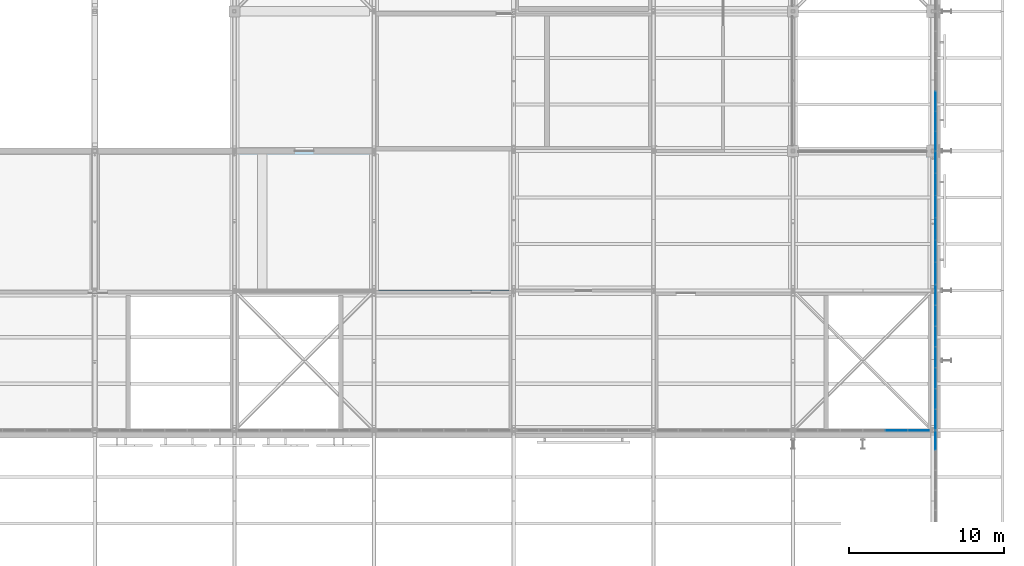
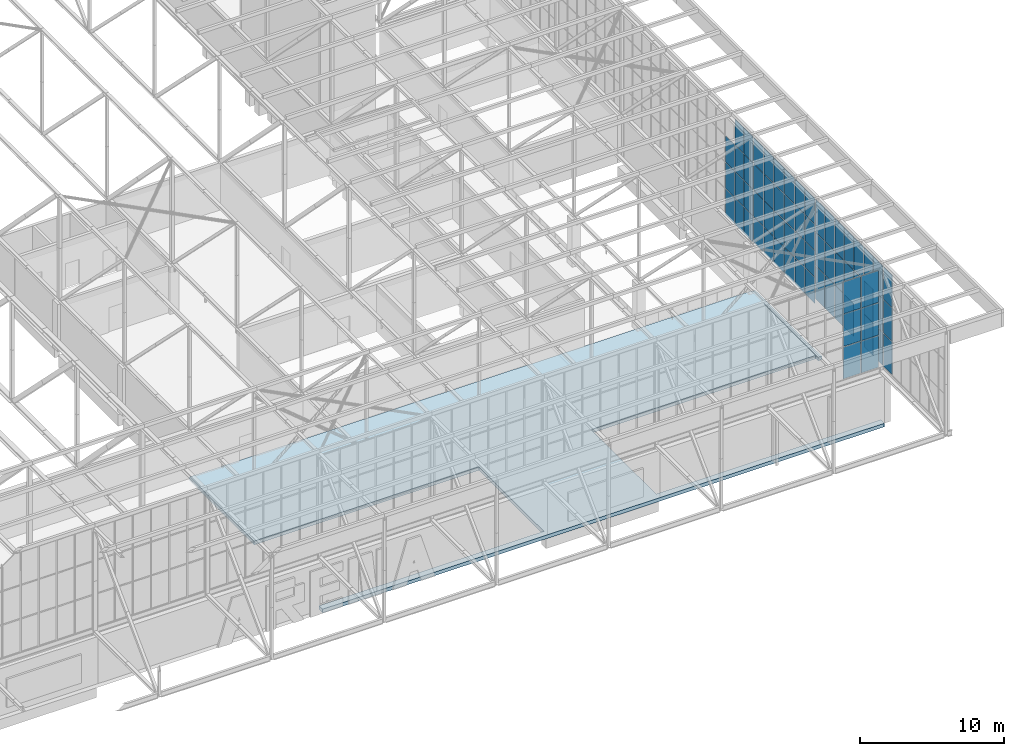
# One storey, part 153 of 646: 65 plates, 1 slab, 5 elements without a shape of their own.
"""IFC4 building model written with IfcOpenShell, lengths in metres."""

from ifc_helpers import new_model, si_unit, direction, frame, origin, origin_2d, place, context, subcontext, project, spatial, polyline, rectangle, outline, extrude, material, layer, layer_set, type_object, element, aggregate, save


model = new_model("IFC4")

# Units and contexts
model_context = context("Model", 3, precision=1e-05, world=origin(), true_north=direction((0.0, 1.0)))
body_context = subcontext(model_context, "Body", "Model", "MODEL_VIEW")
ifc_project = project(units=[si_unit("LENGTHUNIT", "METRE"), si_unit("AREAUNIT", "SQUARE_METRE"), si_unit("VOLUMEUNIT", "CUBIC_METRE"), si_unit("PLANEANGLEUNIT", "RADIAN"), si_unit("MASSUNIT", "GRAM", prefix="KILO")], contexts=[model_context])

# Site, building, storey
site_placement = place(None, origin())
site = spatial("IfcSite", under=ifc_project, at=site_placement, CompositionType="ELEMENT")
building_placement = place(site_placement, origin())
building = spatial("IfcBuilding", under=site, at=building_placement, Name="Silverbay Arena", CompositionType="ELEMENT")
storey_placement = place(building_placement, frame((0.0, 0.0, 33.5)))
storey = spatial("IfcBuildingStorey", under=building, at=storey_placement, Name="L05", CompositionType="ELEMENT", Elevation=33.5)

# Curtain wall, plates
ifc_material_1 = material(Name="Aluminium framed glazing", Category="aluminium")
curtain_wall_type_1 = type_object("IfcCurtainWallType", Name="Curtain wall clerestory 8693 x 8303", PredefinedType="NOTDEFINED", material=ifc_material_1)
curtain_wall_1_placement = place(storey_placement, origin())
curtain_wall_1 = element("IfcCurtainWall", 1, at=curtain_wall_1_placement, inside=storey, type_object=curtain_wall_type_1, Name="ROOF CLERESTORY CURTAIN WALL south bay 17", PredefinedType="NOTDEFINED")
ifc_material_2 = material(Name="Laminated glass", Category="glass")
ifc_layer_1 = layer(ifc_material_2, 0.028076171875)
ifc_layer_set_1 = layer_set([ifc_layer_1], Name="Laminated glass")
plate_type = type_object("IfcPlateType", Name="Glass panel 28", PredefinedType="CURTAIN_PANEL", material=ifc_layer_set_1)
plate_1_placement = place(storey_placement, frame((204.673095703125, 18.0, 4.510009765625), z_axis=(0.0, 0.0, 1.0), x_axis=(1.0, 0.0, 0.0)))
plate_1 = element("IfcPlate", 2, at=plate_1_placement, type_object=plate_type, Name="CW54 panel 5.1", PredefinedType="CURTAIN_PANEL", context=body_context, shape_type="SweptSolid", body=[
    extrude(rectangle(XDim=1.388671875, YDim=0.028076171875, at=origin_2d()), origin(), (0.0, 0.0, 1.0), 2.69287109375),
])
plate_2_placement = place(storey_placement, frame((204.673095703125, 18.0, 7.2529296875), z_axis=(0.0, 0.0, 1.0), x_axis=(1.0, 0.0, 0.0)))
plate_2 = element("IfcPlate", 3, at=plate_2_placement, type_object=plate_type, Name="CW54 panel 5.2", PredefinedType="CURTAIN_PANEL", context=body_context, shape_type="SweptSolid", body=[
    extrude(rectangle(XDim=1.388671875, YDim=0.028076171875, at=origin_2d()), origin(), (0.0, 0.0, 1.0), 2.7177734375),
])
plate_3_placement = place(storey_placement, frame((204.673095703125, 18.0, 10.0205078125), z_axis=(0.0, 0.0, 1.0), x_axis=(1.0, 0.0, 0.0)))
plate_3 = element("IfcPlate", 4, at=plate_3_placement, type_object=plate_type, Name="CW54 panel 5.3", PredefinedType="CURTAIN_PANEL", context=body_context, shape_type="SweptSolid", body=[
    extrude(rectangle(XDim=1.388671875, YDim=0.028076171875, at=origin_2d()), origin(), (0.0, 0.0, 1.0), 2.69287109375),
])
plate_4_placement = place(storey_placement, frame((206.10693359375, 18.0, 4.510009765625), z_axis=(0.0, 0.0, 1.0), x_axis=(1.0, 0.0, 0.0)))
plate_4 = element("IfcPlate", 5, at=plate_4_placement, type_object=plate_type, Name="CW54 panel 6.1", PredefinedType="CURTAIN_PANEL", context=body_context, shape_type="SweptSolid", body=[
    extrude(rectangle(XDim=1.35888671875, YDim=0.028076171875, at=origin_2d()), origin(), (0.0, 0.0, 1.0), 2.69287109375),
])
plate_5_placement = place(storey_placement, frame((206.10693359375, 18.0, 7.2529296875), z_axis=(0.0, 0.0, 1.0), x_axis=(1.0, 0.0, 0.0)))
plate_5 = element("IfcPlate", 6, at=plate_5_placement, type_object=plate_type, Name="CW54 panel 6.2", PredefinedType="CURTAIN_PANEL", context=body_context, shape_type="SweptSolid", body=[
    extrude(rectangle(XDim=1.35888671875, YDim=0.028076171875, at=origin_2d()), origin(), (0.0, 0.0, 1.0), 2.7177734375),
])
plate_6_placement = place(storey_placement, frame((206.10693359375, 18.0, 10.0205078125), z_axis=(0.0, 0.0, 1.0), x_axis=(1.0, 0.0, 0.0)))
plate_6 = element("IfcPlate", 7, at=plate_6_placement, type_object=plate_type, Name="CW54 panel 6.3", PredefinedType="CURTAIN_PANEL", context=body_context, shape_type="SweptSolid", body=[
    extrude(rectangle(XDim=1.35888671875, YDim=0.028076171875, at=origin_2d()), origin(), (0.0, 0.0, 1.0), 2.69287109375),
])
aggregate(curtain_wall_1, [plate_1, plate_2, plate_3, plate_4, plate_5, plate_6])

ifc_material_3 = material(Name="Aluminium framed glazing", Category="aluminium")
curtain_wall_type_2 = type_object("IfcCurtainWallType", Name="Curtain wall clerestory 9000 x 8547", PredefinedType="NOTDEFINED", material=ifc_material_3)
curtain_wall_2_placement = place(storey_placement, origin())
curtain_wall_2 = element("IfcCurtainWall", 8, at=curtain_wall_2_placement, inside=storey, type_object=curtain_wall_type_2, Name="ROOF GABLE CLERESTORY CURTAIN WALL east bay 01", PredefinedType="NOTDEFINED")
plate_7_placement = place(storey_placement, frame((207.179931640625, 17.342041015625, 4.50341796875), z_axis=(0.0, 0.0, 1.0), x_axis=(0.0, 1.0, 0.0)))
plate_7 = element("IfcPlate", 9, at=plate_7_placement, type_object=plate_type, Name="CW57 panel 7.1", PredefinedType="CURTAIN_PANEL", context=body_context, shape_type="SweptSolid", body=[
    extrude(rectangle(XDim=1.19580078125, YDim=0.028076171875, at=origin_2d()), origin(), (0.0, 0.0, 1.0), 2.77392578125),
])
plate_8_placement = place(storey_placement, frame((207.179931640625, 17.342041015625, 7.327392578125), z_axis=(0.0, 0.0, 1.0), x_axis=(0.0, 1.0, 0.0)))
plate_8 = element("IfcPlate", 10, at=plate_8_placement, type_object=plate_type, Name="CW57 panel 7.2", PredefinedType="CURTAIN_PANEL", context=body_context, shape_type="SweptSolid", body=[
    extrude(rectangle(XDim=1.19580078125, YDim=0.028076171875, at=origin_2d()), origin(), (0.0, 0.0, 1.0), 2.798828125),
])
plate_9_placement = place(storey_placement, frame((207.179931640625, 17.342041015625, 10.176025390625), z_axis=(0.0, 0.0, 1.0), x_axis=(0.0, 1.0, 0.0)))
plate_9 = element("IfcPlate", 11, at=plate_9_placement, type_object=plate_type, Name="CW57 panel 7.3", PredefinedType="CURTAIN_PANEL", context=body_context, shape_type="SweptSolid", body=[
    extrude(rectangle(XDim=1.19580078125, YDim=0.028076171875, at=origin_2d()), origin(), (0.0, 0.0, 1.0), 2.77392578125),
])
aggregate(curtain_wall_2, [plate_7, plate_8, plate_9])

ifc_material_4 = material(Name="Aluminium framed glazing", Category="aluminium")
curtain_wall_type_3 = type_object("IfcCurtainWallType", Name="Curtain wall clerestory 9400 x 8547", PredefinedType="NOTDEFINED", material=ifc_material_4)
curtain_wall_3_placement = place(storey_placement, origin())
curtain_wall_3 = element("IfcCurtainWall", 12, at=curtain_wall_3_placement, inside=storey, type_object=curtain_wall_type_3, Name="ROOF GABLE CLERESTORY CURTAIN WALL east bay 02", PredefinedType="NOTDEFINED")
plate_10_placement = place(storey_placement, frame((207.179931640625, 18.6865234375, 4.50341796875), z_axis=(0.0, 0.0, 1.0), x_axis=(0.0, 1.0, 0.0)))
plate_10 = element("IfcPlate", 13, at=plate_10_placement, type_object=plate_type, Name="CW58 panel 1.1", PredefinedType="CURTAIN_PANEL", context=body_context, shape_type="SweptSolid", body=[
    extrude(rectangle(XDim=1.2529296875, YDim=0.028076171875, at=origin_2d()), origin(), (0.0, 0.0, 1.0), 2.77392578125),
])
plate_11_placement = place(storey_placement, frame((207.179931640625, 18.6865234375, 7.327392578125), z_axis=(0.0, 0.0, 1.0), x_axis=(0.0, 1.0, 0.0)))
plate_11 = element("IfcPlate", 14, at=plate_11_placement, type_object=plate_type, Name="CW58 panel 1.2", PredefinedType="CURTAIN_PANEL", context=body_context, shape_type="SweptSolid", body=[
    extrude(rectangle(XDim=1.2529296875, YDim=0.028076171875, at=origin_2d()), origin(), (0.0, 0.0, 1.0), 2.798828125),
])
plate_12_placement = place(storey_placement, frame((207.179931640625, 18.6865234375, 10.176025390625), z_axis=(0.0, 0.0, 1.0), x_axis=(0.0, 1.0, 0.0)))
plate_12 = element("IfcPlate", 15, at=plate_12_placement, type_object=plate_type, Name="CW58 panel 1.3", PredefinedType="CURTAIN_PANEL", context=body_context, shape_type="SweptSolid", body=[
    extrude(rectangle(XDim=1.2529296875, YDim=0.028076171875, at=origin_2d()), origin(), (0.0, 0.0, 1.0), 2.77392578125),
])
plate_13_placement = place(storey_placement, frame((207.179931640625, 20.014404296875, 4.50341796875), z_axis=(0.0, 0.0, 1.0), x_axis=(0.0, 1.0, 0.0)))
plate_13 = element("IfcPlate", 16, at=plate_13_placement, type_object=plate_type, Name="CW58 panel 2.1", PredefinedType="CURTAIN_PANEL", context=body_context, shape_type="SweptSolid", body=[
    extrude(rectangle(XDim=1.282958984375, YDim=0.028076171875, at=origin_2d()), origin(), (0.0, 0.0, 1.0), 2.77392578125),
])
plate_14_placement = place(storey_placement, frame((207.179931640625, 20.014404296875, 7.327392578125), z_axis=(0.0, 0.0, 1.0), x_axis=(0.0, 1.0, 0.0)))
plate_14 = element("IfcPlate", 17, at=plate_14_placement, type_object=plate_type, Name="CW58 panel 2.2", PredefinedType="CURTAIN_PANEL", context=body_context, shape_type="SweptSolid", body=[
    extrude(rectangle(XDim=1.282958984375, YDim=0.028076171875, at=origin_2d()), origin(), (0.0, 0.0, 1.0), 2.798828125),
])
plate_15_placement = place(storey_placement, frame((207.179931640625, 20.014404296875, 10.176025390625), z_axis=(0.0, 0.0, 1.0), x_axis=(0.0, 1.0, 0.0)))
plate_15 = element("IfcPlate", 18, at=plate_15_placement, type_object=plate_type, Name="CW58 panel 2.3", PredefinedType="CURTAIN_PANEL", context=body_context, shape_type="SweptSolid", body=[
    extrude(rectangle(XDim=1.282958984375, YDim=0.028076171875, at=origin_2d()), origin(), (0.0, 0.0, 1.0), 2.77392578125),
])
plate_16_placement = place(storey_placement, frame((207.179931640625, 21.357177734375, 4.50341796875), z_axis=(0.0, 0.0, 1.0), x_axis=(0.0, 1.0, 0.0)))
plate_16 = element("IfcPlate", 19, at=plate_16_placement, type_object=plate_type, Name="CW58 panel 3.1", PredefinedType="CURTAIN_PANEL", context=body_context, shape_type="SweptSolid", body=[
    extrude(rectangle(XDim=1.282958984375, YDim=0.028076171875, at=origin_2d()), origin(), (0.0, 0.0, 1.0), 2.77392578125),
])
plate_17_placement = place(storey_placement, frame((207.179931640625, 21.357177734375, 7.327392578125), z_axis=(0.0, 0.0, 1.0), x_axis=(0.0, 1.0, 0.0)))
plate_17 = element("IfcPlate", 20, at=plate_17_placement, type_object=plate_type, Name="CW58 panel 3.2", PredefinedType="CURTAIN_PANEL", context=body_context, shape_type="SweptSolid", body=[
    extrude(rectangle(XDim=1.282958984375, YDim=0.028076171875, at=origin_2d()), origin(), (0.0, 0.0, 1.0), 2.798828125),
])
plate_18_placement = place(storey_placement, frame((207.179931640625, 21.357177734375, 10.176025390625), z_axis=(0.0, 0.0, 1.0), x_axis=(0.0, 1.0, 0.0)))
plate_18 = element("IfcPlate", 21, at=plate_18_placement, type_object=plate_type, Name="CW58 panel 3.3", PredefinedType="CURTAIN_PANEL", context=body_context, shape_type="SweptSolid", body=[
    extrude(rectangle(XDim=1.282958984375, YDim=0.028076171875, at=origin_2d()), origin(), (0.0, 0.0, 1.0), 2.77392578125),
])
plate_19_placement = place(storey_placement, frame((207.179931640625, 22.699951171875, 4.50341796875), z_axis=(0.0, 0.0, 1.0), x_axis=(0.0, 1.0, 0.0)))
plate_19 = element("IfcPlate", 22, at=plate_19_placement, type_object=plate_type, Name="CW58 panel 4.1", PredefinedType="CURTAIN_PANEL", context=body_context, shape_type="SweptSolid", body=[
    extrude(rectangle(XDim=1.282958984375, YDim=0.028076171875, at=origin_2d()), origin(), (0.0, 0.0, 1.0), 2.77392578125),
])
plate_20_placement = place(storey_placement, frame((207.179931640625, 22.699951171875, 7.327392578125), z_axis=(0.0, 0.0, 1.0), x_axis=(0.0, 1.0, 0.0)))
plate_20 = element("IfcPlate", 23, at=plate_20_placement, type_object=plate_type, Name="CW58 panel 4.2", PredefinedType="CURTAIN_PANEL", context=body_context, shape_type="SweptSolid", body=[
    extrude(rectangle(XDim=1.282958984375, YDim=0.028076171875, at=origin_2d()), origin(), (0.0, 0.0, 1.0), 2.798828125),
])
plate_21_placement = place(storey_placement, frame((207.179931640625, 22.699951171875, 10.176025390625), z_axis=(0.0, 0.0, 1.0), x_axis=(0.0, 1.0, 0.0)))
plate_21 = element("IfcPlate", 24, at=plate_21_placement, type_object=plate_type, Name="CW58 panel 4.3", PredefinedType="CURTAIN_PANEL", context=body_context, shape_type="SweptSolid", body=[
    extrude(rectangle(XDim=1.282958984375, YDim=0.028076171875, at=origin_2d()), origin(), (0.0, 0.0, 1.0), 2.77392578125),
])
plate_22_placement = place(storey_placement, frame((207.179931640625, 24.04296875, 4.50341796875), z_axis=(0.0, 0.0, 1.0), x_axis=(0.0, 1.0, 0.0)))
plate_22 = element("IfcPlate", 25, at=plate_22_placement, type_object=plate_type, Name="CW58 panel 5.1", PredefinedType="CURTAIN_PANEL", context=body_context, shape_type="SweptSolid", body=[
    extrude(rectangle(XDim=1.282958984375, YDim=0.028076171875, at=origin_2d()), origin(), (0.0, 0.0, 1.0), 2.77392578125),
])
plate_23_placement = place(storey_placement, frame((207.179931640625, 24.04296875, 7.327392578125), z_axis=(0.0, 0.0, 1.0), x_axis=(0.0, 1.0, 0.0)))
plate_23 = element("IfcPlate", 26, at=plate_23_placement, type_object=plate_type, Name="CW58 panel 5.2", PredefinedType="CURTAIN_PANEL", context=body_context, shape_type="SweptSolid", body=[
    extrude(rectangle(XDim=1.282958984375, YDim=0.028076171875, at=origin_2d()), origin(), (0.0, 0.0, 1.0), 2.798828125),
])
plate_24_placement = place(storey_placement, frame((207.179931640625, 24.04296875, 10.176025390625), z_axis=(0.0, 0.0, 1.0), x_axis=(0.0, 1.0, 0.0)))
plate_24 = element("IfcPlate", 27, at=plate_24_placement, type_object=plate_type, Name="CW58 panel 5.3", PredefinedType="CURTAIN_PANEL", context=body_context, shape_type="SweptSolid", body=[
    extrude(rectangle(XDim=1.282958984375, YDim=0.028076171875, at=origin_2d()), origin(), (0.0, 0.0, 1.0), 2.77392578125),
])
plate_25_placement = place(storey_placement, frame((207.179931640625, 25.3857421875, 4.50341796875), z_axis=(0.0, 0.0, 1.0), x_axis=(0.0, 1.0, 0.0)))
plate_25 = element("IfcPlate", 28, at=plate_25_placement, type_object=plate_type, Name="CW58 panel 6.1", PredefinedType="CURTAIN_PANEL", context=body_context, shape_type="SweptSolid", body=[
    extrude(rectangle(XDim=1.282958984375, YDim=0.028076171875, at=origin_2d()), origin(), (0.0, 0.0, 1.0), 2.77392578125),
])
plate_26_placement = place(storey_placement, frame((207.179931640625, 25.3857421875, 7.327392578125), z_axis=(0.0, 0.0, 1.0), x_axis=(0.0, 1.0, 0.0)))
plate_26 = element("IfcPlate", 29, at=plate_26_placement, type_object=plate_type, Name="CW58 panel 6.2", PredefinedType="CURTAIN_PANEL", context=body_context, shape_type="SweptSolid", body=[
    extrude(rectangle(XDim=1.282958984375, YDim=0.028076171875, at=origin_2d()), origin(), (0.0, 0.0, 1.0), 2.798828125),
])
plate_27_placement = place(storey_placement, frame((207.179931640625, 25.3857421875, 10.176025390625), z_axis=(0.0, 0.0, 1.0), x_axis=(0.0, 1.0, 0.0)))
plate_27 = element("IfcPlate", 30, at=plate_27_placement, type_object=plate_type, Name="CW58 panel 6.3", PredefinedType="CURTAIN_PANEL", context=body_context, shape_type="SweptSolid", body=[
    extrude(rectangle(XDim=1.282958984375, YDim=0.028076171875, at=origin_2d()), origin(), (0.0, 0.0, 1.0), 2.77392578125),
])
plate_28_placement = place(storey_placement, frame((207.179931640625, 26.713623046875, 4.50341796875), z_axis=(0.0, 0.0, 1.0), x_axis=(0.0, 1.0, 0.0)))
plate_28 = element("IfcPlate", 31, at=plate_28_placement, type_object=plate_type, Name="CW58 panel 7.1", PredefinedType="CURTAIN_PANEL", context=body_context, shape_type="SweptSolid", body=[
    extrude(rectangle(XDim=1.2529296875, YDim=0.028076171875, at=origin_2d()), origin(), (0.0, 0.0, 1.0), 2.77392578125),
])
plate_29_placement = place(storey_placement, frame((207.179931640625, 26.713623046875, 7.327392578125), z_axis=(0.0, 0.0, 1.0), x_axis=(0.0, 1.0, 0.0)))
plate_29 = element("IfcPlate", 32, at=plate_29_placement, type_object=plate_type, Name="CW58 panel 7.2", PredefinedType="CURTAIN_PANEL", context=body_context, shape_type="SweptSolid", body=[
    extrude(rectangle(XDim=1.2529296875, YDim=0.028076171875, at=origin_2d()), origin(), (0.0, 0.0, 1.0), 2.798828125),
])
plate_30_placement = place(storey_placement, frame((207.179931640625, 26.713623046875, 10.176025390625), z_axis=(0.0, 0.0, 1.0), x_axis=(0.0, 1.0, 0.0)))
plate_30 = element("IfcPlate", 33, at=plate_30_placement, type_object=plate_type, Name="CW58 panel 7.3", PredefinedType="CURTAIN_PANEL", context=body_context, shape_type="SweptSolid", body=[
    extrude(rectangle(XDim=1.2529296875, YDim=0.028076171875, at=origin_2d()), origin(), (0.0, 0.0, 1.0), 2.77392578125),
])
aggregate(curtain_wall_3, [plate_10, plate_11, plate_12, plate_13, plate_14, plate_15, plate_16, plate_17, plate_18, plate_19, plate_20, plate_21, plate_22, plate_23, plate_24, plate_25, plate_26, plate_27, plate_28, plate_29, plate_30])

ifc_material_5 = material(Name="Aluminium framed glazing", Category="aluminium")
curtain_wall_type_4 = type_object("IfcCurtainWallType", Name="Curtain wall clerestory 8600 x 9000", PredefinedType="NOTDEFINED", material=ifc_material_5)
curtain_wall_4_placement = place(storey_placement, origin())
curtain_wall_4 = element("IfcCurtainWall", 34, at=curtain_wall_4_placement, inside=storey, type_object=curtain_wall_type_4, Name="ROOF GABLE CLERESTORY CURTAIN WALL east bay 03", PredefinedType="NOTDEFINED")
plate_31_placement = place(storey_placement, frame((207.179931640625, 28.131591796875, 4.0498046875), z_axis=(0.0, 0.0, 1.0), x_axis=(0.0, 1.0, 0.0)))
plate_31 = element("IfcPlate", 35, at=plate_31_placement, type_object=plate_type, Name="CW59 panel 1.1", PredefinedType="CURTAIN_PANEL", context=body_context, shape_type="SweptSolid", body=[
    extrude(rectangle(XDim=1.34326171875, YDim=0.028076171875, at=origin_2d()), origin(), (0.0, 0.0, 1.0), 2.175048828125),
])
plate_32_placement = place(storey_placement, frame((207.179931640625, 28.131591796875, 6.27490234375), z_axis=(0.0, 0.0, 1.0), x_axis=(0.0, 1.0, 0.0)))
plate_32 = element("IfcPlate", 36, at=plate_32_placement, type_object=plate_type, Name="CW59 panel 1.2", PredefinedType="CURTAIN_PANEL", context=body_context, shape_type="SweptSolid", body=[
    extrude(rectangle(XDim=1.34326171875, YDim=0.028076171875, at=origin_2d()), origin(), (0.0, 0.0, 1.0), 2.199951171875),
])
plate_33_placement = place(storey_placement, frame((207.179931640625, 28.131591796875, 8.52490234375), z_axis=(0.0, 0.0, 1.0), x_axis=(0.0, 1.0, 0.0)))
plate_33 = element("IfcPlate", 37, at=plate_33_placement, type_object=plate_type, Name="CW59 panel 1.3", PredefinedType="CURTAIN_PANEL", context=body_context, shape_type="SweptSolid", body=[
    extrude(rectangle(XDim=1.34326171875, YDim=0.028076171875, at=origin_2d()), origin(), (0.0, 0.0, 1.0), 2.199951171875),
])
plate_34_placement = place(storey_placement, frame((207.179931640625, 28.131591796875, 10.77490234375), z_axis=(0.0, 0.0, 1.0), x_axis=(0.0, 1.0, 0.0)))
plate_34 = element("IfcPlate", 38, at=plate_34_placement, type_object=plate_type, Name="CW59 panel 1.4", PredefinedType="CURTAIN_PANEL", context=body_context, shape_type="SweptSolid", body=[
    extrude(rectangle(XDim=1.34326171875, YDim=0.028076171875, at=origin_2d()), origin(), (0.0, 0.0, 1.0), 2.175048828125),
])
plate_35_placement = place(storey_placement, frame((207.179931640625, 29.550048828125, 4.0498046875), z_axis=(0.0, 0.0, 1.0), x_axis=(0.0, 1.0, 0.0)))
plate_35 = element("IfcPlate", 39, at=plate_35_placement, type_object=plate_type, Name="CW59 panel 2.1", PredefinedType="CURTAIN_PANEL", context=body_context, shape_type="SweptSolid", body=[
    extrude(rectangle(XDim=1.373291015625, YDim=0.028076171875, at=origin_2d()), origin(), (0.0, 0.0, 1.0), 2.175048828125),
])
plate_36_placement = place(storey_placement, frame((207.179931640625, 29.550048828125, 6.27490234375), z_axis=(0.0, 0.0, 1.0), x_axis=(0.0, 1.0, 0.0)))
plate_36 = element("IfcPlate", 40, at=plate_36_placement, type_object=plate_type, Name="CW59 panel 2.2", PredefinedType="CURTAIN_PANEL", context=body_context, shape_type="SweptSolid", body=[
    extrude(rectangle(XDim=1.373291015625, YDim=0.028076171875, at=origin_2d()), origin(), (0.0, 0.0, 1.0), 2.199951171875),
])
plate_37_placement = place(storey_placement, frame((207.179931640625, 29.550048828125, 8.52490234375), z_axis=(0.0, 0.0, 1.0), x_axis=(0.0, 1.0, 0.0)))
plate_37 = element("IfcPlate", 41, at=plate_37_placement, type_object=plate_type, Name="CW59 panel 2.3", PredefinedType="CURTAIN_PANEL", context=body_context, shape_type="SweptSolid", body=[
    extrude(rectangle(XDim=1.373291015625, YDim=0.028076171875, at=origin_2d()), origin(), (0.0, 0.0, 1.0), 2.199951171875),
])
plate_38_placement = place(storey_placement, frame((207.179931640625, 29.550048828125, 10.77490234375), z_axis=(0.0, 0.0, 1.0), x_axis=(0.0, 1.0, 0.0)))
plate_38 = element("IfcPlate", 42, at=plate_38_placement, type_object=plate_type, Name="CW59 panel 2.4", PredefinedType="CURTAIN_PANEL", context=body_context, shape_type="SweptSolid", body=[
    extrude(rectangle(XDim=1.373291015625, YDim=0.028076171875, at=origin_2d()), origin(), (0.0, 0.0, 1.0), 2.175048828125),
])
plate_39_placement = place(storey_placement, frame((207.179931640625, 30.9833984375, 4.0498046875), z_axis=(0.0, 0.0, 1.0), x_axis=(0.0, 1.0, 0.0)))
plate_39 = element("IfcPlate", 43, at=plate_39_placement, type_object=plate_type, Name="CW59 panel 3.1", PredefinedType="CURTAIN_PANEL", context=body_context, shape_type="SweptSolid", body=[
    extrude(rectangle(XDim=1.373291015625, YDim=0.028076171875, at=origin_2d()), origin(), (0.0, 0.0, 1.0), 2.175048828125),
])
plate_40_placement = place(storey_placement, frame((207.179931640625, 30.9833984375, 6.27490234375), z_axis=(0.0, 0.0, 1.0), x_axis=(0.0, 1.0, 0.0)))
plate_40 = element("IfcPlate", 44, at=plate_40_placement, type_object=plate_type, Name="CW59 panel 3.2", PredefinedType="CURTAIN_PANEL", context=body_context, shape_type="SweptSolid", body=[
    extrude(rectangle(XDim=1.373291015625, YDim=0.028076171875, at=origin_2d()), origin(), (0.0, 0.0, 1.0), 2.199951171875),
])
plate_41_placement = place(storey_placement, frame((207.179931640625, 30.9833984375, 8.52490234375), z_axis=(0.0, 0.0, 1.0), x_axis=(0.0, 1.0, 0.0)))
plate_41 = element("IfcPlate", 45, at=plate_41_placement, type_object=plate_type, Name="CW59 panel 3.3", PredefinedType="CURTAIN_PANEL", context=body_context, shape_type="SweptSolid", body=[
    extrude(rectangle(XDim=1.373291015625, YDim=0.028076171875, at=origin_2d()), origin(), (0.0, 0.0, 1.0), 2.199951171875),
])
plate_42_placement = place(storey_placement, frame((207.179931640625, 30.9833984375, 10.77490234375), z_axis=(0.0, 0.0, 1.0), x_axis=(0.0, 1.0, 0.0)))
plate_42 = element("IfcPlate", 46, at=plate_42_placement, type_object=plate_type, Name="CW59 panel 3.4", PredefinedType="CURTAIN_PANEL", context=body_context, shape_type="SweptSolid", body=[
    extrude(rectangle(XDim=1.373291015625, YDim=0.028076171875, at=origin_2d()), origin(), (0.0, 0.0, 1.0), 2.175048828125),
])
plate_43_placement = place(storey_placement, frame((207.179931640625, 32.416748046875, 4.0498046875), z_axis=(0.0, 0.0, 1.0), x_axis=(0.0, 1.0, 0.0)))
plate_43 = element("IfcPlate", 47, at=plate_43_placement, type_object=plate_type, Name="CW59 panel 4.1", PredefinedType="CURTAIN_PANEL", context=body_context, shape_type="SweptSolid", body=[
    extrude(rectangle(XDim=1.373291015625, YDim=0.028076171875, at=origin_2d()), origin(), (0.0, 0.0, 1.0), 2.175048828125),
])
plate_44_placement = place(storey_placement, frame((207.179931640625, 32.416748046875, 6.27490234375), z_axis=(0.0, 0.0, 1.0), x_axis=(0.0, 1.0, 0.0)))
plate_44 = element("IfcPlate", 48, at=plate_44_placement, type_object=plate_type, Name="CW59 panel 4.2", PredefinedType="CURTAIN_PANEL", context=body_context, shape_type="SweptSolid", body=[
    extrude(rectangle(XDim=1.373291015625, YDim=0.028076171875, at=origin_2d()), origin(), (0.0, 0.0, 1.0), 2.199951171875),
])
plate_45_placement = place(storey_placement, frame((207.179931640625, 32.416748046875, 8.52490234375), z_axis=(0.0, 0.0, 1.0), x_axis=(0.0, 1.0, 0.0)))
plate_45 = element("IfcPlate", 49, at=plate_45_placement, type_object=plate_type, Name="CW59 panel 4.3", PredefinedType="CURTAIN_PANEL", context=body_context, shape_type="SweptSolid", body=[
    extrude(rectangle(XDim=1.373291015625, YDim=0.028076171875, at=origin_2d()), origin(), (0.0, 0.0, 1.0), 2.199951171875),
])
plate_46_placement = place(storey_placement, frame((207.179931640625, 32.416748046875, 10.77490234375), z_axis=(0.0, 0.0, 1.0), x_axis=(0.0, 1.0, 0.0)))
plate_46 = element("IfcPlate", 50, at=plate_46_placement, type_object=plate_type, Name="CW59 panel 4.4", PredefinedType="CURTAIN_PANEL", context=body_context, shape_type="SweptSolid", body=[
    extrude(rectangle(XDim=1.373291015625, YDim=0.028076171875, at=origin_2d()), origin(), (0.0, 0.0, 1.0), 2.175048828125),
])
plate_47_placement = place(storey_placement, frame((207.179931640625, 33.85009765625, 4.0498046875), z_axis=(0.0, 0.0, 1.0), x_axis=(0.0, 1.0, 0.0)))
plate_47 = element("IfcPlate", 51, at=plate_47_placement, type_object=plate_type, Name="CW59 panel 5.1", PredefinedType="CURTAIN_PANEL", context=body_context, shape_type="SweptSolid", body=[
    extrude(rectangle(XDim=1.373291015625, YDim=0.028076171875, at=origin_2d()), origin(), (0.0, 0.0, 1.0), 2.175048828125),
])
plate_48_placement = place(storey_placement, frame((207.179931640625, 33.85009765625, 6.27490234375), z_axis=(0.0, 0.0, 1.0), x_axis=(0.0, 1.0, 0.0)))
plate_48 = element("IfcPlate", 52, at=plate_48_placement, type_object=plate_type, Name="CW59 panel 5.2", PredefinedType="CURTAIN_PANEL", context=body_context, shape_type="SweptSolid", body=[
    extrude(rectangle(XDim=1.373291015625, YDim=0.028076171875, at=origin_2d()), origin(), (0.0, 0.0, 1.0), 2.199951171875),
])
plate_49_placement = place(storey_placement, frame((207.179931640625, 33.85009765625, 8.52490234375), z_axis=(0.0, 0.0, 1.0), x_axis=(0.0, 1.0, 0.0)))
plate_49 = element("IfcPlate", 53, at=plate_49_placement, type_object=plate_type, Name="CW59 panel 5.3", PredefinedType="CURTAIN_PANEL", context=body_context, shape_type="SweptSolid", body=[
    extrude(rectangle(XDim=1.373291015625, YDim=0.028076171875, at=origin_2d()), origin(), (0.0, 0.0, 1.0), 2.199951171875),
])
plate_50_placement = place(storey_placement, frame((207.179931640625, 33.85009765625, 10.77490234375), z_axis=(0.0, 0.0, 1.0), x_axis=(0.0, 1.0, 0.0)))
plate_50 = element("IfcPlate", 54, at=plate_50_placement, type_object=plate_type, Name="CW59 panel 5.4", PredefinedType="CURTAIN_PANEL", context=body_context, shape_type="SweptSolid", body=[
    extrude(rectangle(XDim=1.373291015625, YDim=0.028076171875, at=origin_2d()), origin(), (0.0, 0.0, 1.0), 2.175048828125),
])
plate_51_placement = place(storey_placement, frame((207.179931640625, 35.268310546875, 4.0498046875), z_axis=(0.0, 0.0, 1.0), x_axis=(0.0, 1.0, 0.0)))
plate_51 = element("IfcPlate", 55, at=plate_51_placement, type_object=plate_type, Name="CW59 panel 6.1", PredefinedType="CURTAIN_PANEL", context=body_context, shape_type="SweptSolid", body=[
    extrude(rectangle(XDim=1.34326171875, YDim=0.028076171875, at=origin_2d()), origin(), (0.0, 0.0, 1.0), 2.175048828125),
])
plate_52_placement = place(storey_placement, frame((207.179931640625, 35.268310546875, 6.27490234375), z_axis=(0.0, 0.0, 1.0), x_axis=(0.0, 1.0, 0.0)))
plate_52 = element("IfcPlate", 56, at=plate_52_placement, type_object=plate_type, Name="CW59 panel 6.2", PredefinedType="CURTAIN_PANEL", context=body_context, shape_type="SweptSolid", body=[
    extrude(rectangle(XDim=1.34326171875, YDim=0.028076171875, at=origin_2d()), origin(), (0.0, 0.0, 1.0), 2.199951171875),
])
plate_53_placement = place(storey_placement, frame((207.179931640625, 35.268310546875, 8.52490234375), z_axis=(0.0, 0.0, 1.0), x_axis=(0.0, 1.0, 0.0)))
plate_53 = element("IfcPlate", 57, at=plate_53_placement, type_object=plate_type, Name="CW59 panel 6.3", PredefinedType="CURTAIN_PANEL", context=body_context, shape_type="SweptSolid", body=[
    extrude(rectangle(XDim=1.34326171875, YDim=0.028076171875, at=origin_2d()), origin(), (0.0, 0.0, 1.0), 2.199951171875),
])
plate_54_placement = place(storey_placement, frame((207.179931640625, 35.268310546875, 10.77490234375), z_axis=(0.0, 0.0, 1.0), x_axis=(0.0, 1.0, 0.0)))
plate_54 = element("IfcPlate", 58, at=plate_54_placement, type_object=plate_type, Name="CW59 panel 6.4", PredefinedType="CURTAIN_PANEL", context=body_context, shape_type="SweptSolid", body=[
    extrude(rectangle(XDim=1.34326171875, YDim=0.028076171875, at=origin_2d()), origin(), (0.0, 0.0, 1.0), 2.175048828125),
])
aggregate(curtain_wall_4, [plate_31, plate_32, plate_33, plate_34, plate_35, plate_36, plate_37, plate_38, plate_39, plate_40, plate_41, plate_42, plate_43, plate_44, plate_45, plate_46, plate_47, plate_48, plate_49, plate_50, plate_51, plate_52, plate_53, plate_54])

ifc_material_6 = material(Name="Aluminium framed glazing", Category="aluminium")
curtain_wall_type_5 = type_object("IfcCurtainWallType", Name="Curtain wall clerestory 9000 x 9000", PredefinedType="NOTDEFINED", material=ifc_material_6)
curtain_wall_5_placement = place(storey_placement, origin())
curtain_wall_5 = element("IfcCurtainWall", 59, at=curtain_wall_5_placement, inside=storey, type_object=curtain_wall_type_5, Name="ROOF GABLE CLERESTORY CURTAIN WALL east bay 04", PredefinedType="NOTDEFINED")
plate_55_placement = place(storey_placement, frame((207.179931640625, 36.657958984375, 4.0498046875), z_axis=(0.0, 0.0, 1.0), x_axis=(0.0, 1.0, 0.0)))
plate_55 = element("IfcPlate", 60, at=plate_55_placement, type_object=plate_type, Name="CW60 panel 1.1", PredefinedType="CURTAIN_PANEL", context=body_context, shape_type="SweptSolid", body=[
    extrude(rectangle(XDim=1.19580078125, YDim=0.028076171875, at=origin_2d()), origin(), (0.0, 0.0, 1.0), 2.175048828125),
])
plate_56_placement = place(storey_placement, frame((207.179931640625, 36.657958984375, 6.27490234375), z_axis=(0.0, 0.0, 1.0), x_axis=(0.0, 1.0, 0.0)))
plate_56 = element("IfcPlate", 61, at=plate_56_placement, type_object=plate_type, Name="CW60 panel 1.2", PredefinedType="CURTAIN_PANEL", context=body_context, shape_type="SweptSolid", body=[
    extrude(rectangle(XDim=1.19580078125, YDim=0.028076171875, at=origin_2d()), origin(), (0.0, 0.0, 1.0), 2.199951171875),
])
plate_57_placement = place(storey_placement, frame((207.179931640625, 36.657958984375, 8.52490234375), z_axis=(0.0, 0.0, 1.0), x_axis=(0.0, 1.0, 0.0)))
plate_57 = element("IfcPlate", 62, at=plate_57_placement, type_object=plate_type, Name="CW60 panel 1.3", PredefinedType="CURTAIN_PANEL", context=body_context, shape_type="SweptSolid", body=[
    extrude(rectangle(XDim=1.19580078125, YDim=0.028076171875, at=origin_2d()), origin(), (0.0, 0.0, 1.0), 2.199951171875),
])
plate_58_placement = place(storey_placement, frame((207.179931640625, 36.657958984375, 10.77490234375), z_axis=(0.0, 0.0, 1.0), x_axis=(0.0, 1.0, 0.0)))
plate_58 = element("IfcPlate", 63, at=plate_58_placement, type_object=plate_type, Name="CW60 panel 1.4", PredefinedType="CURTAIN_PANEL", context=body_context, shape_type="SweptSolid", body=[
    extrude(rectangle(XDim=1.19580078125, YDim=0.028076171875, at=origin_2d()), origin(), (0.0, 0.0, 1.0), 2.175048828125),
])
plate_59_placement = place(storey_placement, frame((207.179931640625, 37.928466796875, 4.0498046875), z_axis=(0.0, 0.0, 1.0), x_axis=(0.0, 1.0, 0.0)))
plate_59 = element("IfcPlate", 64, at=plate_59_placement, type_object=plate_type, Name="CW60 panel 2.1", PredefinedType="CURTAIN_PANEL", context=body_context, shape_type="SweptSolid", body=[
    extrude(rectangle(XDim=1.225830078125, YDim=0.028076171875, at=origin_2d()), origin(), (0.0, 0.0, 1.0), 2.175048828125),
])
plate_60_placement = place(storey_placement, frame((207.179931640625, 37.928466796875, 6.27490234375), z_axis=(0.0, 0.0, 1.0), x_axis=(0.0, 1.0, 0.0)))
plate_60 = element("IfcPlate", 65, at=plate_60_placement, type_object=plate_type, Name="CW60 panel 2.2", PredefinedType="CURTAIN_PANEL", context=body_context, shape_type="SweptSolid", body=[
    extrude(rectangle(XDim=1.225830078125, YDim=0.028076171875, at=origin_2d()), origin(), (0.0, 0.0, 1.0), 2.199951171875),
])
plate_61_placement = place(storey_placement, frame((207.179931640625, 37.928466796875, 8.52490234375), z_axis=(0.0, 0.0, 1.0), x_axis=(0.0, 1.0, 0.0)))
plate_61 = element("IfcPlate", 66, at=plate_61_placement, type_object=plate_type, Name="CW60 panel 2.3", PredefinedType="CURTAIN_PANEL", context=body_context, shape_type="SweptSolid", body=[
    extrude(rectangle(XDim=1.225830078125, YDim=0.028076171875, at=origin_2d()), origin(), (0.0, 0.0, 1.0), 2.199951171875),
])
plate_62_placement = place(storey_placement, frame((207.179931640625, 37.928466796875, 10.77490234375), z_axis=(0.0, 0.0, 1.0), x_axis=(0.0, 1.0, 0.0)))
plate_62 = element("IfcPlate", 67, at=plate_62_placement, type_object=plate_type, Name="CW60 panel 2.4", PredefinedType="CURTAIN_PANEL", context=body_context, shape_type="SweptSolid", body=[
    extrude(rectangle(XDim=1.225830078125, YDim=0.028076171875, at=origin_2d()), origin(), (0.0, 0.0, 1.0), 2.175048828125),
])
plate_63_placement = place(storey_placement, frame((207.179931640625, 39.21435546875, 4.0498046875), z_axis=(0.0, 0.0, 1.0), x_axis=(0.0, 1.0, 0.0)))
plate_63 = element("IfcPlate", 68, at=plate_63_placement, type_object=plate_type, Name="CW60 panel 3.1", PredefinedType="CURTAIN_PANEL", context=body_context, shape_type="SweptSolid", body=[
    extrude(rectangle(XDim=1.225830078125, YDim=0.028076171875, at=origin_2d()), origin(), (0.0, 0.0, 1.0), 2.175048828125),
])
plate_64_placement = place(storey_placement, frame((207.179931640625, 39.21435546875, 6.27490234375), z_axis=(0.0, 0.0, 1.0), x_axis=(0.0, 1.0, 0.0)))
plate_64 = element("IfcPlate", 69, at=plate_64_placement, type_object=plate_type, Name="CW60 panel 3.2", PredefinedType="CURTAIN_PANEL", context=body_context, shape_type="SweptSolid", body=[
    extrude(rectangle(XDim=1.225830078125, YDim=0.028076171875, at=origin_2d()), origin(), (0.0, 0.0, 1.0), 2.199951171875),
])
plate_65_placement = place(storey_placement, frame((207.179931640625, 39.21435546875, 8.52490234375), z_axis=(0.0, 0.0, 1.0), x_axis=(0.0, 1.0, 0.0)))
plate_65 = element("IfcPlate", 70, at=plate_65_placement, type_object=plate_type, Name="CW60 panel 3.3", PredefinedType="CURTAIN_PANEL", context=body_context, shape_type="SweptSolid", body=[
    extrude(rectangle(XDim=1.225830078125, YDim=0.028076171875, at=origin_2d()), origin(), (0.0, 0.0, 1.0), 2.199951171875),
])
aggregate(curtain_wall_5, [plate_55, plate_56, plate_57, plate_58, plate_59, plate_60, plate_61, plate_62, plate_63, plate_64, plate_65])

# Slab
ifc_material_7 = material(Name="Concrete Grade C45", Category="concrete")
ifc_layer_2 = layer(ifc_material_7, 0.300048828125)
ifc_layer_set_2 = layer_set([ifc_layer_2], Name="Concrete Grade C45")
slab_type = type_object("IfcSlabType", Name="RC floor slab 300", PredefinedType="FLOOR", material=ifc_layer_set_2)
slab_placement = place(storey_placement, frame((0.0, 0.0, -0.300048828125)))
element("IfcSlab", 71, at=slab_placement, inside=storey, type_object=slab_type, Name="Floor slab L05 unit 3", PredefinedType="FLOOR", context=body_context, shape_type="SweptSolid", body=[
    extrude(outline(polyline([(207.0, 17.47509765625), (206.97509765625, 17.47509765625), (206.97509765625, 17.5), (162.0, 17.5), (162.0, 18.0), (180.0, 18.0), (180.0, 27.0), (162.0, 27.0), (162.0, 35.97509765625), (206.97509765625, 35.97509765625), (206.97509765625, 27.02490234375), (207.0, 27.02490234375), (207.0, 35.89990234375), (207.27490234375, 35.89990234375), (207.27490234375, 27.324951171875), (207.300048828125, 27.324951171875), (207.300048828125, 26.9951171875), (207.2900390625, 26.699951171875), (207.0, 26.699951171875), (207.0, 26.97509765625), (206.97509765625, 26.97509765625), (206.97509765625, 27.0), (189.0, 27.0), (189.0, 18.0), (206.97509765625, 18.0), (206.97509765625, 18.02490234375), (207.0, 18.02490234375), (207.0, 17.47509765625)])), origin(), (0.0, 0.0, 1.0), 0.300048828125),
])

save(model, "model.ifc")
